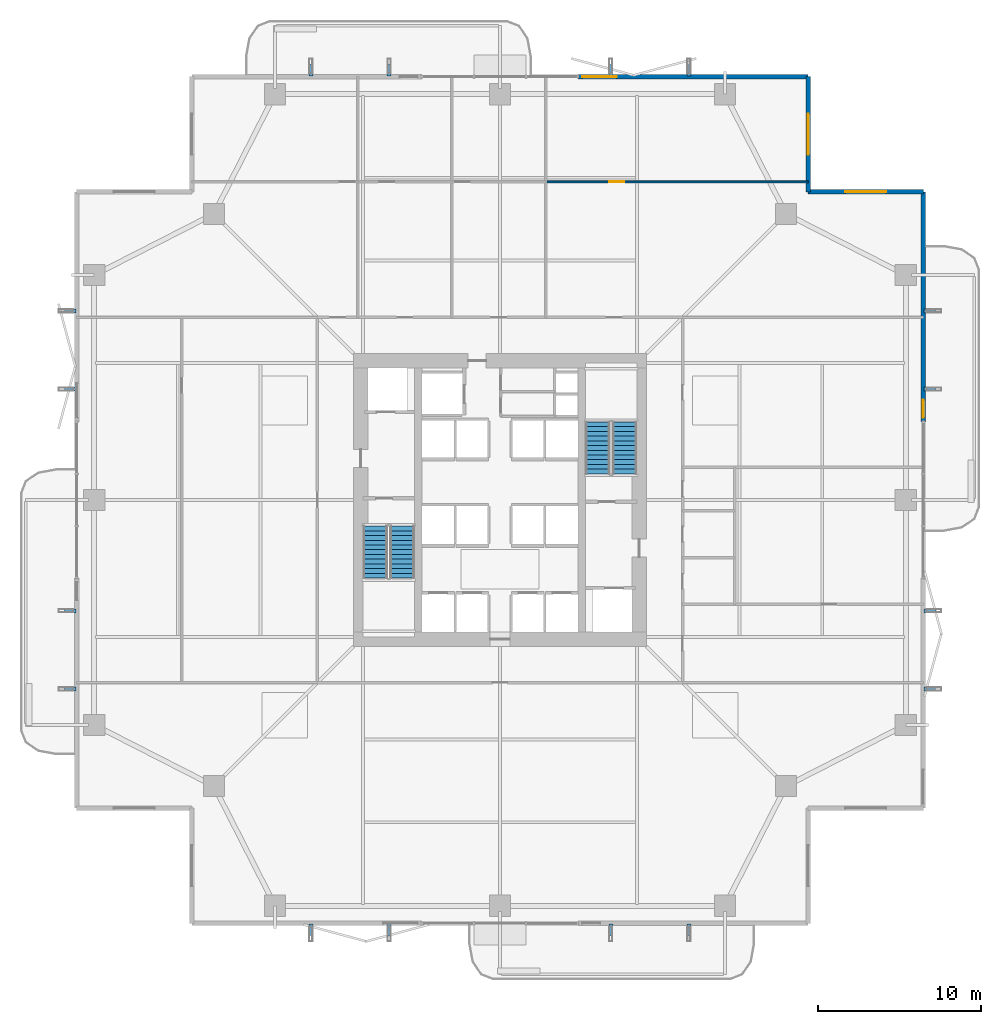
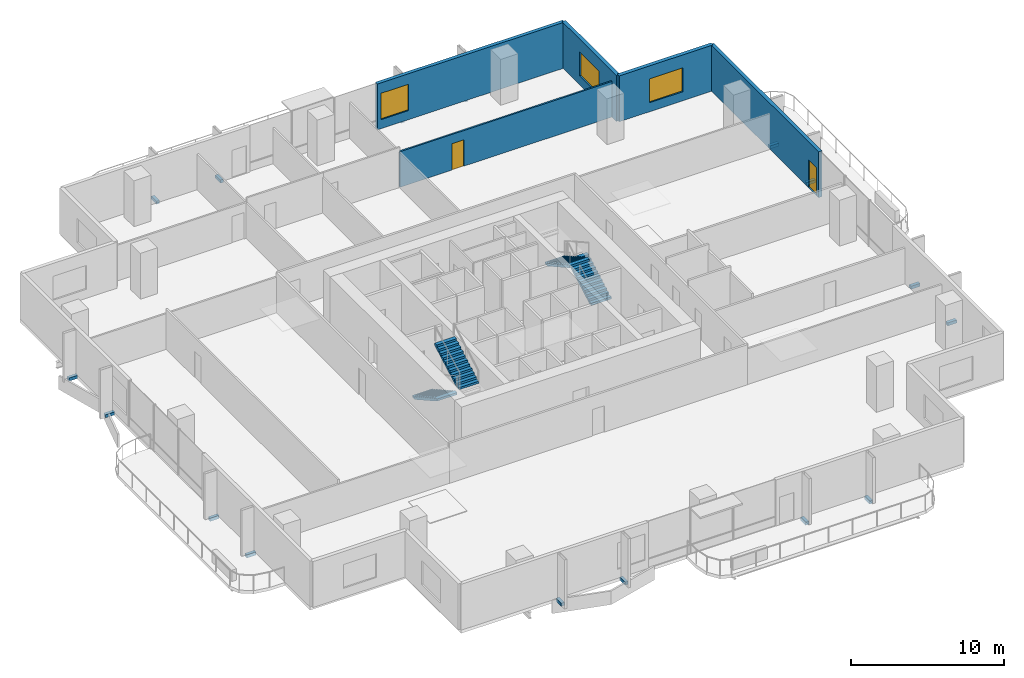
# One storey, part 20 of 24: 16 discrete accessories, 5 walls, 4 stair flights, 3 windows, 2 doors, 5 openings, 2 elements without a shape of their own.
"""IFC4 building model written with IfcOpenShell, lengths in metres."""

import ifcopenshell
import ifcopenshell.guid

model = None  # the IFC model being written
_history = None  # IfcOwnerHistory: only IFC2X3 demands one
_inside = {}  # id of a spatial element -> (the spatial element, [elements in it])
_under = {}  # id of a project, library or spatial element -> (it, [spatial elements below it])
_declared = {}  # id of a project -> (the project, [libraries it declares])
_typed = {}  # id of a type object -> (the type object, [elements of that type])
_made_of = {}  # id of a material, layer set ... -> (it, [elements and type objects made of it])


def new_model(schema):
    """Start an empty IFC model of exactly this schema.

    Asked for "IFC4X3", IfcOpenShell would pick the latest addendum, in which some entities
    have other attributes; the version numbers below select the first issue.
    IFC2X3 requires an IfcOwnerHistory on every rooted entity: one is made here for all.
    """
    global model, _history
    if schema == "IFC4X3":
        model = ifcopenshell.file(schema_version=(4, 3, 0, 0))
    else:
        model = ifcopenshell.file(schema=schema)
    _inside.clear()
    _under.clear()
    _declared.clear()
    _typed.clear()
    _made_of.clear()
    _history = None
    if model.schema == "IFC2X3":
        org = make("IfcOrganization", Name="unknown")
        user = make(
            "IfcPersonAndOrganization",
            ThePerson=make("IfcPerson", FamilyName="unknown"),
            TheOrganization=org,
        )
        app = make(
            "IfcApplication",
            ApplicationDeveloper=org,
            Version="unknown",
            ApplicationFullName="unknown",
            ApplicationIdentifier="unknown",
        )
        _history = make(
            "IfcOwnerHistory",
            OwningUser=user,
            OwningApplication=app,
            ChangeAction="ADDED",
            CreationDate=0,
        )
    return model


def make(cls, **values):
    """One entity of the class cls with the attributes given. An attribute that is None is left unset."""
    return model.create_entity(
        cls, **{name: value for name, value in values.items() if value is not None}
    )


def rooted(cls, **values):
    """An entity with a GlobalId (a new one), such as an element, a storey or a relation."""
    return make(cls, GlobalId=ifcopenshell.guid.new(), OwnerHistory=_history, **values)


def si_unit(unit_type, name, prefix=None):
    """IfcSIUnit, for example si_unit("LENGTHUNIT", "METRE", prefix="MILLI")."""
    return make("IfcSIUnit", UnitType=unit_type, Prefix=prefix, Name=name)


def assignment(units):
    """IfcUnitAssignment: the units of a project."""
    return None if units is None else make("IfcUnitAssignment", Units=units)


def point(xyz):
    """IfcCartesianPoint."""
    return None if xyz is None else make("IfcCartesianPoint", Coordinates=xyz)


def direction(xyz):
    """IfcDirection."""
    return None if xyz is None else make("IfcDirection", DirectionRatios=xyz)


def frame(location, z_axis=None, x_axis=None):
    """IfcAxis2Placement3D, a coordinate frame: its origin and axes. An axis left out is left unset."""
    return make(
        "IfcAxis2Placement3D",
        Location=point(location),
        Axis=direction(z_axis),
        RefDirection=direction(x_axis),
    )


def frame_2d(location, x_axis=None):
    """IfcAxis2Placement2D, a coordinate frame in the plane: its origin and x axis."""
    return make(
        "IfcAxis2Placement2D", Location=point(location), RefDirection=direction(x_axis)
    )


def origin():
    """The frame at (0, 0, 0) with its axes left unset."""
    return frame((0.0, 0.0, 0.0))


def origin_2d():
    """The frame at (0, 0) in the plane with its x axis left unset."""
    return frame_2d((0.0, 0.0))


def place(relative_to, where):
    """IfcLocalPlacement: puts the frame where relative to a parent placement (None: the world)."""
    return make(
        "IfcLocalPlacement", PlacementRelTo=relative_to, RelativePlacement=where
    )


def context(
    kind, dimensions, precision=None, world=None, true_north=None, identifier=None
):
    """IfcGeometricRepresentationContext, for example the 3D "Model" context."""
    return make(
        "IfcGeometricRepresentationContext",
        ContextIdentifier=identifier,
        ContextType=kind,
        CoordinateSpaceDimension=dimensions,
        Precision=precision,
        WorldCoordinateSystem=world,
        TrueNorth=true_north,
    )


def subcontext(parent, identifier, kind, view, scale=None):
    """IfcGeometricRepresentationSubContext, for example "Body" below "Model"."""
    return make(
        "IfcGeometricRepresentationSubContext",
        ContextIdentifier=identifier,
        ContextType=kind,
        ParentContext=parent,
        TargetScale=scale,
        TargetView=view,
    )


def project(units=None, contexts=None):
    """IfcProject with its units and contexts."""
    return rooted(
        "IfcProject",
        Name="project",
        RepresentationContexts=contexts,
        UnitsInContext=assignment(units),
    )


def spatial(cls, under=None, at=None, **own):
    """A site, building, storey or space (cls), placed at a placement, below another one or the project."""
    s = rooted(cls, ObjectPlacement=at, **own)
    if under is not None:
        _under.setdefault(under.id(), (under, []))[1].append(s)
    return s


def polyline(points):
    """IfcPolyline through the points."""
    return make("IfcPolyline", Points=[point(p) for p in points])


def profile(cls, at=None, kind="AREA", **sizes):
    """A parametric profile (cls). Its sizes go by their IFC names, for example OverallWidth=200.0."""
    return make(cls, ProfileType=kind, Position=at, **sizes)


def rectangle(**sizes):
    """IfcRectangleProfileDef."""
    return profile("IfcRectangleProfileDef", **sizes)


def outline(outer, holes=None, kind="AREA"):
    """IfcArbitraryClosedProfileDef: a profile drawn as a closed curve; with holes, ...WithVoids."""
    if holes is None:
        return make("IfcArbitraryClosedProfileDef", ProfileType=kind, OuterCurve=outer)
    return make(
        "IfcArbitraryProfileDefWithVoids",
        ProfileType=kind,
        OuterCurve=outer,
        InnerCurves=holes,
    )


def extrude(swept, where, along, depth):
    """IfcExtrudedAreaSolid: the profile swept, set in the frame where, extruded along a direction by depth."""
    return make(
        "IfcExtrudedAreaSolid",
        SweptArea=swept,
        Position=where,
        ExtrudedDirection=direction(along),
        Depth=depth,
    )


def shape(context_of_items, identifier, shape_type, items):
    """IfcShapeRepresentation: the items that make up one representation, for example the "Body"."""
    return make(
        "IfcShapeRepresentation",
        ContextOfItems=context_of_items,
        RepresentationIdentifier=identifier,
        RepresentationType=shape_type,
        Items=items,
    )


def material(Name=None, Category=None):
    """IfcMaterial."""
    return make("IfcMaterial", Name=Name, Category=Category)


def layer(
    of_material, thickness, ventilated=None, Name=None, Category=None, Priority=None
):
    """IfcMaterialLayer: one layer of a wall or slab, of a material (None: an air gap)."""
    return make(
        "IfcMaterialLayer",
        Material=of_material,
        LayerThickness=thickness,
        IsVentilated=ventilated,
        Name=Name,
        Category=Category,
        Priority=Priority,
    )


def layer_set(layers, Name=None):
    """IfcMaterialLayerSet."""
    return make("IfcMaterialLayerSet", MaterialLayers=layers, LayerSetName=Name)


def made_of(thing, what):
    """Note that an element or type object is made of a material, layer set ...; save() writes the relation."""
    if what is not None:
        _made_of.setdefault(what.id(), (what, []))[1].append(thing)
    return thing


def type_object(cls, material=None, **own):
    """A type object (cls), such as IfcWallType, which elements share."""
    return made_of(rooted(cls, **own), material)


def element(
    cls,
    number,
    at=None,
    inside=None,
    cuts=None,
    type_object=None,
    material=None,
    context=None,
    identifier="Body",
    shape_type=None,
    held_by="IfcProductDefinitionShape",
    body=None,
    shapes=None,
    **own,
):
    """One element of the class cls, such as IfcWall. Its Tag is "e" and its number.

    at: its placement. inside: the storey or other place that contains it. cuts: it is an
    opening in that element (IfcRelVoidsElement). A single representation is given by context,
    identifier, shape_type and body (its items); several are given by shapes. held_by: the class
    of the entity that holds the representations. save() writes the other relations.
    """
    e = rooted(cls, Tag="e%d" % number, ObjectPlacement=at, **own)
    if body is not None:
        shapes = [shape(context, identifier, shape_type, body)]
    if shapes is not None:
        e.Representation = make(held_by, Representations=shapes)
    if inside is not None:
        _inside.setdefault(inside.id(), (inside, []))[1].append(e)
    if cuts is not None:
        rooted(
            "IfcRelVoidsElement", RelatingBuildingElement=cuts, RelatedOpeningElement=e
        )
    if type_object is not None:
        _typed.setdefault(type_object.id(), (type_object, []))[1].append(e)
    return made_of(e, material)


def fill(opening, filler):
    """IfcRelFillsElement: the door or window that sits in an opening."""
    return rooted(
        "IfcRelFillsElement",
        RelatingOpeningElement=opening,
        RelatedBuildingElement=filler,
    )


def aggregate(whole, parts):
    """IfcRelAggregates: a whole, such as a stair, and the parts it consists of."""
    return rooted("IfcRelAggregates", RelatingObject=whole, RelatedObjects=parts)


def save(model, path):
    """Write the relations noted so far, then the file.

    IfcRelAggregates (storeys below a building ...), IfcRelContainedInSpatialStructure (elements
    in a storey), IfcRelDefinesByType, IfcRelAssociatesMaterial and IfcRelDeclares: one each for
    every whole, place, type object, material and project.
    """
    for whole, parts in _under.values():
        aggregate(whole, parts)
    for where, things in _inside.values():
        rooted(
            "IfcRelContainedInSpatialStructure",
            RelatedElements=things,
            RelatingStructure=where,
        )
    for kind, things in _typed.values():
        rooted("IfcRelDefinesByType", RelatedObjects=things, RelatingType=kind)
    for what, things in _made_of.values():
        rooted("IfcRelAssociatesMaterial", RelatedObjects=things, RelatingMaterial=what)
    for by, libraries in _declared.values():
        rooted("IfcRelDeclares", RelatingContext=by, RelatedDefinitions=libraries)
    model.write(path)


model = new_model("IFC4")

# Units and contexts
model_context = context("Model", 3, precision=1e-05, world=origin(), true_north=direction((0.0, 1.0)))
body_context = subcontext(model_context, "Body", "Model", "MODEL_VIEW")
ifc_project = project(units=[si_unit("LENGTHUNIT", "METRE"), si_unit("AREAUNIT", "SQUARE_METRE"), si_unit("VOLUMEUNIT", "CUBIC_METRE"), si_unit("PLANEANGLEUNIT", "RADIAN"), si_unit("MASSUNIT", "GRAM", prefix="KILO")], contexts=[model_context])

# Site, building, storey
site_placement = place(None, origin())
site = spatial("IfcSite", under=ifc_project, at=site_placement, CompositionType="ELEMENT")
building_placement = place(site_placement, origin())
building = spatial("IfcBuilding", under=site, at=building_placement, Name="Belovzor Exchange Tower", CompositionType="ELEMENT")
storey_placement = place(building_placement, frame((0.0, 0.0, 129.0)))
storey = spatial("IfcBuildingStorey", under=building, at=storey_placement, Name="L31", CompositionType="ELEMENT", Elevation=129.0)

# Wall, opening, door
ifc_material_1 = material(Name="Acoustic Plasterboard on Galvanised Studs", Category="gypsum")
ifc_layer_1 = layer(ifc_material_1, 0.1201171875)
ifc_layer_set_1 = layer_set([ifc_layer_1], Name="Acoustic Plasterboard on Galvanised Studs")
wall_type_1 = type_object("IfcWallType", Name="Acoustic Double-Stud Partition Wall 120", PredefinedType="PARTITIONING", material=ifc_layer_set_1)
wall_1_placement = place(storey_placement, frame((31.611083984375, 48.320068359375, 0.0), z_axis=(0.0, 0.0, 1.0), x_axis=(1.0, 0.0, 0.0)))
wall_1 = element("IfcWall", 1, at=wall_1_placement, inside=storey, type_object=wall_type_1, Name="W-P120 Partition Wall W-L31-NHDIV-3", PredefinedType="PARTITIONING", context=body_context, shape_type="SweptSolid", body=[
    extrude(rectangle(XDim=16.0888671875, YDim=0.1201171875, at=frame_2d((8.04443359375, 0.0))), origin(), (0.0, 0.0, 1.0), 2.8349609375),
])
opening_1_placement = place(wall_1_placement, frame((3.89697265625, 0.0, 0.0)))
opening_1 = element("IfcOpeningElement", 2, at=opening_1_placement, cuts=wall_1, Name="Opening D-INT-090", PredefinedType="OPENING", context=body_context, shape_type="SweptSolid", body=[
    extrude(rectangle(XDim=0.89990234375, YDim=2.10009765625, at=frame_2d((0.449951171875, 1.050048828125))), frame((0.0, 0.070068359375, 0.0), z_axis=(0.0, -1.0, 0.0), x_axis=(1.0, 0.0, 0.0)), (0.0, 0.0, 1.0), 0.14013671875),
])
ifc_material_2 = material(Name="Veneered Hardwood Acoustic Leaf", Category="wood")
door_type_1 = type_object("IfcDoorType", Name="Trading Suite Acoustic Single Door 900x2100", OperationType="NOTDEFINED", PredefinedType="DOOR", material=ifc_material_2)
door_1_placement = place(opening_1_placement, origin())
door_1 = element("IfcDoor", 3, at=door_1_placement, inside=storey, type_object=door_type_1, Name="D-INT-090 Trading Suite Acoustic Single Door 900x2100", OperationType="SINGLE_SWING_RIGHT", OverallHeight=2.10009765625, OverallWidth=0.89990234375, PredefinedType="DOOR", context=body_context, shape_type="SweptSolid", body=[
    extrude(rectangle(XDim=0.89990234375, YDim=2.10009765625, at=frame_2d((0.449951171875, 1.050048828125))), frame((0.0, 0.02490234375, 0.0), z_axis=(0.0, -1.0, 0.0), x_axis=(1.0, 0.0, 0.0)), (0.0, 0.0, 1.0), 0.050048828125),
])
fill(opening_1, door_1)

# Wall, opening, window
ifc_material_3 = material(Name="Precast concrete C40/50", Category="concrete")
ifc_layer_2 = layer(ifc_material_3, 0.280029296875)
ifc_layer_set_2 = layer_set([ifc_layer_2], Name="Precast concrete C40/50")
wall_type_2 = type_object("IfcWallType", Name="Precast Concrete Notched Corner Frame Wall 280", PredefinedType="SOLIDWALL", material=ifc_layer_set_2)
wall_2_placement = place(storey_placement, frame((47.699951171875, 54.77001953125, 0.0), z_axis=(0.0, 0.0, 1.0), x_axis=(0.0, -1.0, 0.0)))
wall_2 = element("IfcWall", 4, at=wall_2_placement, inside=storey, type_object=wall_type_2, Name="W-CRN280 Precast Concrete Notched Corner Frame Wall 280 L31", PredefinedType="SOLIDWALL", context=body_context, shape_type="SweptSolid", body=[
    extrude(rectangle(XDim=7.070068359375, YDim=0.280029296875, at=frame_2d((3.53515625, 0.0))), origin(), (0.0, 0.0, 1.0), 3.64990234375),
])
opening_2_placement = place(wall_2_placement, frame((2.284912109375, 0.0, 0.719970703125)))
opening_2 = element("IfcOpeningElement", 5, at=opening_2_placement, cuts=wall_2, Name="Opening WN-CRN250", PredefinedType="OPENING", context=body_context, shape_type="SweptSolid", body=[
    extrude(rectangle(XDim=2.5, YDim=1.89990234375, at=frame_2d((1.25, 0.949951171875))), frame((0.0, 0.14990234375, 0.0), z_axis=(0.0, -1.0, 0.0), x_axis=(1.0, 0.0, 0.0)), (0.0, 0.0, 1.0), 0.300048828125),
])
ifc_material_4 = material(Name="Thermally Broken Aluminium and Triple Glazing", Category="aluminium")
window_type_1 = type_object("IfcWindowType", Name="Streamline Moderne Corner Wrap Ribbon Window 2500x1900", PartitioningType="SINGLE_PANEL", PredefinedType="WINDOW", material=ifc_material_4)
window_1_placement = place(opening_2_placement, origin())
window_1 = element("IfcWindow", 6, at=window_1_placement, inside=storey, type_object=window_type_1, Name="WN-CRN250 Streamline Moderne Corner Wrap Ribbon Window 2500x1900", OverallHeight=1.89990234375, OverallWidth=2.5, PartitioningType="SINGLE_PANEL", PredefinedType="WINDOW", context=body_context, shape_type="SweptSolid", body=[
    extrude(rectangle(XDim=2.5, YDim=1.89990234375, at=frame_2d((1.25, 0.949951171875))), frame((0.0, 0.030029296875, 0.0), z_axis=(0.0, -1.0, 0.0), x_axis=(1.0, 0.0, 0.0)), (0.0, 0.0, 1.0), 0.06005859375),
])
fill(opening_2, window_1)

wall_3_placement = place(storey_placement, frame((47.699951171875, 47.699951171875, 0.0), z_axis=(0.0, 0.0, 1.0), x_axis=(1.0, 0.0, 0.0)))
wall_3 = element("IfcWall", 7, at=wall_3_placement, inside=storey, type_object=wall_type_2, Name="W-CRN280 Precast Concrete Notched Corner Frame Wall 280 L31", PredefinedType="SOLIDWALL", context=body_context, shape_type="SweptSolid", body=[
    extrude(rectangle(XDim=7.070068359375, YDim=0.280029296875, at=frame_2d((3.53515625, 0.0))), origin(), (0.0, 0.0, 1.0), 3.64990234375),
])
opening_3_placement = place(wall_3_placement, frame((2.284912109375, 0.0, 0.719970703125)))
opening_3 = element("IfcOpeningElement", 8, at=opening_3_placement, cuts=wall_3, Name="Opening WN-CRN250", PredefinedType="OPENING", context=body_context, shape_type="SweptSolid", body=[
    extrude(rectangle(XDim=2.5, YDim=1.89990234375, at=frame_2d((1.25, 0.949951171875))), frame((0.0, 0.14990234375, 0.0), z_axis=(0.0, -1.0, 0.0), x_axis=(1.0, 0.0, 0.0)), (0.0, 0.0, 1.0), 0.300048828125),
])
window_2_placement = place(opening_3_placement, origin())
window_2 = element("IfcWindow", 9, at=window_2_placement, inside=storey, type_object=window_type_1, Name="WN-CRN250 Streamline Moderne Corner Wrap Ribbon Window 2500x1900", OverallHeight=1.89990234375, OverallWidth=2.5, PartitioningType="SINGLE_PANEL", PredefinedType="WINDOW", context=body_context, shape_type="SweptSolid", body=[
    extrude(rectangle(XDim=2.5, YDim=1.89990234375, at=frame_2d((1.25, 0.949951171875))), frame((0.0, 0.030029296875, 0.0), z_axis=(0.0, -1.0, 0.0), x_axis=(1.0, 0.0, 0.0)), (0.0, 0.0, 1.0), 0.06005859375),
])
fill(opening_3, window_2)

ifc_material_5 = material(Name="Precast concrete C40/50", Category="concrete")
ifc_layer_3 = layer(ifc_material_5, 0.260009765625)
ifc_layer_set_3 = layer_set([ifc_layer_3], Name="Precast concrete C40/50")
wall_type_3 = type_object("IfcWallType", Name="Precast Concrete Perimeter Loggia Frame Wall 260", PredefinedType="SOLIDWALL", material=ifc_layer_set_3)
wall_4_placement = place(storey_placement, frame((33.60009765625, 54.77001953125, 0.0), z_axis=(0.0, 0.0, 1.0), x_axis=(1.0, 0.0, 0.0)))
wall_4 = element("IfcWall", 10, at=wall_4_placement, inside=storey, type_object=wall_type_3, Name="W-EXT260 Precast Concrete Perimeter Loggia Frame Wall 260 L31", PredefinedType="SOLIDWALL", context=body_context, shape_type="SweptSolid", body=[
    extrude(rectangle(XDim=14.099853515625, YDim=0.260009765625, at=frame_2d((7.0498046875, 0.0))), origin(), (0.0, 0.0, 1.0), 3.64990234375),
])
opening_4_placement = place(wall_4_placement, frame((0.25, 0.0, 0.719970703125)))
opening_4 = element("IfcOpeningElement", 11, at=opening_4_placement, cuts=wall_4, Name="Opening WN-LOG210", PredefinedType="OPENING", context=body_context, shape_type="SweptSolid", body=[
    extrude(rectangle(XDim=2.10009765625, YDim=2.10009765625, at=frame_2d((1.050048828125, 1.050048828125))), frame((0.0, 0.139892578125, 0.0), z_axis=(0.0, -1.0, 0.0), x_axis=(1.0, 0.0, 0.0)), (0.0, 0.0, 1.0), 0.280029296875),
])
ifc_material_6 = material(Name="Thermally Broken Aluminium and Triple Glazing", Category="aluminium")
window_type_2 = type_object("IfcWindowType", Name="Triple-Glazed Loggia Ribbon Window 2100x2100", PartitioningType="SINGLE_PANEL", PredefinedType="WINDOW", material=ifc_material_6)
window_3_placement = place(opening_4_placement, origin())
window_3 = element("IfcWindow", 12, at=window_3_placement, inside=storey, type_object=window_type_2, Name="WN-LOG210 Triple-Glazed Loggia Ribbon Window 2100x2100", OverallHeight=2.10009765625, OverallWidth=2.10009765625, PartitioningType="SINGLE_PANEL", PredefinedType="WINDOW", context=body_context, shape_type="SweptSolid", body=[
    extrude(rectangle(XDim=2.10009765625, YDim=2.10009765625, at=frame_2d((1.050048828125, 1.050048828125))), frame((0.0, 0.030029296875, 0.0), z_axis=(0.0, -1.0, 0.0), x_axis=(1.0, 0.0, 0.0)), (0.0, 0.0, 1.0), 0.06005859375),
])
fill(opening_4, window_3)

# Wall, opening, door
wall_5_placement = place(storey_placement, frame((54.77001953125, 47.699951171875, 0.0), z_axis=(0.0, 0.0, 1.0), x_axis=(0.0, -1.0, 0.0)))
wall_5 = element("IfcWall", 13, at=wall_5_placement, inside=storey, type_object=wall_type_3, Name="W-EXT260 Precast Concrete Perimeter Loggia Frame Wall 260 L31", PredefinedType="SOLIDWALL", context=body_context, shape_type="SweptSolid", body=[
    extrude(rectangle(XDim=14.099853515625, YDim=0.260009765625, at=frame_2d((7.0498046875, 0.0))), origin(), (0.0, 0.0, 1.0), 3.64990234375),
])
opening_5_placement = place(wall_5_placement, frame((12.75, 0.0, 0.0)))
opening_5 = element("IfcOpeningElement", 14, at=opening_5_placement, cuts=wall_5, Name="Opening D-BAL110", PredefinedType="OPENING", context=body_context, shape_type="SweptSolid", body=[
    extrude(rectangle(XDim=1.10009765625, YDim=2.199951171875, at=frame_2d((0.550048828125, 1.10009765625))), frame((0.0, 0.139892578125, 0.0), z_axis=(0.0, -1.0, 0.0), x_axis=(1.0, 0.0, 0.0)), (0.0, 0.0, 1.0), 0.280029296875),
])
ifc_material_7 = material(Name="Thermally Broken Anodised Aluminium and Laminated Glass", Category="aluminium")
door_type_2 = type_object("IfcDoorType", Name="Planted Loggia Terrace Glazed Door 1100x2200", OperationType="SINGLE_SWING_LEFT", PredefinedType="DOOR", material=ifc_material_7)
door_2_placement = place(opening_5_placement, origin())
door_2 = element("IfcDoor", 15, at=door_2_placement, inside=storey, type_object=door_type_2, Name="D-BAL110 Balcony Terrace Door L31 E", OperationType="SINGLE_SWING_LEFT", OverallHeight=2.199951171875, OverallWidth=1.10009765625, PredefinedType="DOOR", context=body_context, shape_type="SweptSolid", body=[
    extrude(rectangle(XDim=1.10009765625, YDim=2.199951171875, at=frame_2d((0.550048828125, 1.10009765625))), frame((0.0, 0.02490234375, 0.0), z_axis=(0.0, -1.0, 0.0), x_axis=(1.0, 0.0, 0.0)), (0.0, 0.0, 1.0), 0.050048828125),
])
fill(opening_5, door_2)

# Stair, stair flights
ifc_material_8 = material(Name="Concrete C40/50", Category="concrete")
stair_type = type_object("IfcStairType", Name="Reinforced Concrete Dogleg Escape Stair 1350", PredefinedType="HALF_TURN_STAIR", material=ifc_material_8)
stair_1_placement = place(storey_placement, origin())
stair_1 = element("IfcStair", 16, at=stair_1_placement, inside=storey, type_object=stair_type, Name="L31 ST-1", PredefinedType="HALF_TURN_STAIR")
ifc_material_9 = material(Name="Concrete C40/50", Category="concrete")
stair_flight_type = type_object("IfcStairFlightType", Name="Reinforced Concrete Stair Flight 1350", PredefinedType="STRAIGHT", material=ifc_material_9)
stair_flight_1_placement = place(storey_placement, frame((21.14990234375, 27.199951171875, 0.0), z_axis=(0.0, 0.0, 1.0), x_axis=(0.0, -1.0, 0.0)))
stair_flight_1 = element("IfcStairFlight", 17, at=stair_flight_1_placement, type_object=stair_flight_type, Name="ST-1 flight 1", NumberOfRisers=12, NumberOfTreads=11, PredefinedType="STRAIGHT", RiserHeight=0.1625, TreadLength=0.29, context=body_context, shape_type="SweptSolid", body=[
    extrude(outline(polyline([(0.0, 0.0), (0.0, 0.16259765625), (0.2900390625, 0.16259765625), (0.2900390625, 0.324951171875), (0.580078125, 0.324951171875), (0.580078125, 0.487548828125), (0.8701171875, 0.487548828125), (0.8701171875, 0.64990234375), (1.159912109375, 0.64990234375), (1.159912109375, 0.8125), (1.449951171875, 0.8125), (1.449951171875, 0.97509765625), (1.739990234375, 0.97509765625), (1.739990234375, 1.137451171875), (2.030029296875, 1.137451171875), (2.030029296875, 1.300048828125), (2.320068359375, 1.300048828125), (2.320068359375, 1.46240234375), (2.610107421875, 1.46240234375), (2.610107421875, 1.625), (2.89990234375, 1.625), (2.89990234375, 1.78759765625), (3.18994140625, 1.78759765625), (3.18994140625, 1.949951171875), (3.18994140625, 1.61572265625), (0.306640625, 0.0), (0.0, 0.0)])), frame((0.0, 0.75, 0.0), z_axis=(0.0, -1.0, 0.0), x_axis=(1.0, 0.0, 0.0)), (0.0, 0.0, 1.0), 1.5),
])
stair_flight_2_placement = place(storey_placement, frame((22.800048828125, 24.010009765625, 1.949951171875), z_axis=(0.0, 0.0, 1.0), x_axis=(0.0, 1.0, 0.0)))
stair_flight_2 = element("IfcStairFlight", 18, at=stair_flight_2_placement, type_object=stair_flight_type, Name="ST-1 flight 2", NumberOfRisers=12, NumberOfTreads=11, PredefinedType="STRAIGHT", RiserHeight=0.1625, TreadLength=0.29, context=body_context, shape_type="SweptSolid", body=[
    extrude(outline(polyline([(0.0, 0.0), (0.0, 0.16259765625), (0.2900390625, 0.16259765625), (0.2900390625, 0.324951171875), (0.580078125, 0.324951171875), (0.580078125, 0.487548828125), (0.8701171875, 0.487548828125), (0.8701171875, 0.64990234375), (1.159912109375, 0.64990234375), (1.159912109375, 0.8125), (1.449951171875, 0.8125), (1.449951171875, 0.97509765625), (1.739990234375, 0.97509765625), (1.739990234375, 1.137451171875), (2.030029296875, 1.137451171875), (2.030029296875, 1.300048828125), (2.320068359375, 1.300048828125), (2.320068359375, 1.46240234375), (2.610107421875, 1.46240234375), (2.610107421875, 1.625), (2.89990234375, 1.625), (2.89990234375, 1.78759765625), (3.18994140625, 1.78759765625), (3.18994140625, 1.949951171875), (3.18994140625, 1.61572265625), (0.306640625, 0.0), (0.0, 0.0)])), frame((0.0, 0.75, 0.0), z_axis=(0.0, -1.0, 0.0), x_axis=(1.0, 0.0, 0.0)), (0.0, 0.0, 1.0), 1.5),
])
aggregate(stair_1, [stair_flight_1, stair_flight_2])

stair_2_placement = place(storey_placement, origin())
stair_2 = element("IfcStair", 19, at=stair_2_placement, inside=storey, type_object=stair_type, Name="L31 ST-2", PredefinedType="HALF_TURN_STAIR")
stair_flight_3_placement = place(storey_placement, frame((36.449951171875, 30.39990234375, 0.0), z_axis=(0.0, 0.0, 1.0), x_axis=(0.0, 1.0, 0.0)))
stair_flight_3 = element("IfcStairFlight", 20, at=stair_flight_3_placement, type_object=stair_flight_type, Name="ST-2 flight 1", NumberOfRisers=12, NumberOfTreads=11, PredefinedType="STRAIGHT", RiserHeight=0.1625, TreadLength=0.29, context=body_context, shape_type="SweptSolid", body=[
    extrude(outline(polyline([(0.0, 0.0), (0.0, 0.16259765625), (0.2900390625, 0.16259765625), (0.2900390625, 0.324951171875), (0.580078125, 0.324951171875), (0.580078125, 0.487548828125), (0.8701171875, 0.487548828125), (0.8701171875, 0.64990234375), (1.159912109375, 0.64990234375), (1.159912109375, 0.8125), (1.449951171875, 0.8125), (1.449951171875, 0.97509765625), (1.739990234375, 0.97509765625), (1.739990234375, 1.137451171875), (2.030029296875, 1.137451171875), (2.030029296875, 1.300048828125), (2.320068359375, 1.300048828125), (2.320068359375, 1.46240234375), (2.610107421875, 1.46240234375), (2.610107421875, 1.625), (2.89990234375, 1.625), (2.89990234375, 1.78759765625), (3.18994140625, 1.78759765625), (3.18994140625, 1.949951171875), (3.18994140625, 1.61572265625), (0.306640625, 0.0), (0.0, 0.0)])), frame((0.0, 0.75, 0.0), z_axis=(0.0, -1.0, 0.0), x_axis=(1.0, 0.0, 0.0)), (0.0, 0.0, 1.0), 1.5),
])
stair_flight_4_placement = place(storey_placement, frame((34.800048828125, 33.590087890625, 1.949951171875), z_axis=(0.0, 0.0, 1.0), x_axis=(0.0, -1.0, 0.0)))
stair_flight_4 = element("IfcStairFlight", 21, at=stair_flight_4_placement, type_object=stair_flight_type, Name="ST-2 flight 2", NumberOfRisers=12, NumberOfTreads=11, PredefinedType="STRAIGHT", RiserHeight=0.1625, TreadLength=0.29, context=body_context, shape_type="SweptSolid", body=[
    extrude(outline(polyline([(0.0, 0.0), (0.0, 0.16259765625), (0.2900390625, 0.16259765625), (0.2900390625, 0.324951171875), (0.580078125, 0.324951171875), (0.580078125, 0.487548828125), (0.8701171875, 0.487548828125), (0.8701171875, 0.64990234375), (1.159912109375, 0.64990234375), (1.159912109375, 0.8125), (1.449951171875, 0.8125), (1.449951171875, 0.97509765625), (1.739990234375, 0.97509765625), (1.739990234375, 1.137451171875), (2.030029296875, 1.137451171875), (2.030029296875, 1.300048828125), (2.320068359375, 1.300048828125), (2.320068359375, 1.46240234375), (2.610107421875, 1.46240234375), (2.610107421875, 1.625), (2.89990234375, 1.625), (2.89990234375, 1.78759765625), (3.18994140625, 1.78759765625), (3.18994140625, 1.949951171875), (3.18994140625, 1.61572265625), (0.306640625, 0.0), (0.0, 0.0)])), frame((0.0, 0.75, 0.0), z_axis=(0.0, -1.0, 0.0), x_axis=(1.0, 0.0, 0.0)), (0.0, 0.0, 1.0), 1.5),
])
aggregate(stair_2, [stair_flight_3, stair_flight_4])

# Discrete accessories
ifc_material_10 = material(Name="Stainless Steel Grade 316", Category="steel")
ifc_layer_4 = layer(ifc_material_10, 0.179931640625)
ifc_layer_set_4 = layer_set([ifc_layer_4], Name="Stainless Steel Grade 316")
discrete_accessory_type = type_object("IfcDiscreteAccessoryType", Name="Stainless Steel Facade Outrigger Fixing Bracket", PredefinedType="BRACKET", material=ifc_layer_set_4)
for number, where, z_axis, x_axis, name in (
    (22, (17.199951171875, 2.43798828125, -0.2451171875), (0.0, 0.0, 1.0), (0.0, 1.0, 0.0), "BRK-FIN1 Sweeping Fin Outrigger Bracket L31 S1"),
    (23, (17.199951171875, 55.1630859375, -0.2451171875), (0.0, 0.0, 1.0), (0.0, 1.0, 0.0), "BRK-FIN1 Sweeping Fin Outrigger Bracket L31 N1"),
    (24, (2.43798828125, 17.199951171875, -0.2451171875), (0.0, 0.0, 1.0), (1.0, 0.0, 0.0), "BRK-FIN1 Sweeping Fin Outrigger Bracket L31 W1"),
    (25, (55.1630859375, 17.199951171875, -0.2451171875), (0.0, 0.0, 1.0), (1.0, 0.0, 0.0), "BRK-FIN1 Sweeping Fin Outrigger Bracket L31 E1"),
    (26, (22.0, 2.43798828125, -0.2451171875), (0.0, 0.0, 1.0), (0.0, 1.0, 0.0), "BRK-FIN1 Sweeping Fin Outrigger Bracket L31 S2"),
    (27, (22.0, 55.1630859375, -0.2451171875), (0.0, 0.0, 1.0), (0.0, 1.0, 0.0), "BRK-FIN1 Sweeping Fin Outrigger Bracket L31 N2"),
    (28, (2.43798828125, 22.0, -0.2451171875), (0.0, 0.0, 1.0), (1.0, 0.0, 0.0), "BRK-FIN1 Sweeping Fin Outrigger Bracket L31 W2"),
    (29, (55.1630859375, 22.0, -0.2451171875), (0.0, 0.0, 1.0), (1.0, 0.0, 0.0), "BRK-FIN1 Sweeping Fin Outrigger Bracket L31 E2"),
    (30, (35.60009765625, 2.43798828125, -0.2451171875), (0.0, 0.0, 1.0), (0.0, 1.0, 0.0), "BRK-FIN1 Sweeping Fin Outrigger Bracket L31 S3"),
    (31, (35.60009765625, 55.1630859375, -0.2451171875), (0.0, 0.0, 1.0), (0.0, 1.0, 0.0), "BRK-FIN1 Sweeping Fin Outrigger Bracket L31 N3"),
    (32, (2.43798828125, 35.60009765625, -0.2451171875), (0.0, 0.0, 1.0), (1.0, 0.0, 0.0), "BRK-FIN1 Sweeping Fin Outrigger Bracket L31 W3"),
    (33, (55.1630859375, 35.60009765625, -0.2451171875), (0.0, 0.0, 1.0), (1.0, 0.0, 0.0), "BRK-FIN1 Sweeping Fin Outrigger Bracket L31 E3"),
    (34, (40.39990234375, 2.43798828125, -0.2451171875), (0.0, 0.0, 1.0), (0.0, 1.0, 0.0), "BRK-FIN1 Sweeping Fin Outrigger Bracket L31 S4"),
    (35, (40.39990234375, 55.1630859375, -0.2451171875), (0.0, 0.0, 1.0), (0.0, 1.0, 0.0), "BRK-FIN1 Sweeping Fin Outrigger Bracket L31 N4"),
    (36, (2.43798828125, 40.39990234375, -0.2451171875), (0.0, 0.0, 1.0), (1.0, 0.0, 0.0), "BRK-FIN1 Sweeping Fin Outrigger Bracket L31 W4"),
    (37, (55.1630859375, 40.39990234375, -0.2451171875), (0.0, 0.0, 1.0), (1.0, 0.0, 0.0), "BRK-FIN1 Sweeping Fin Outrigger Bracket L31 E4"),
):
    element("IfcDiscreteAccessory", number, at=place(storey_placement, frame(where, z_axis=z_axis, x_axis=x_axis)), inside=storey, type_object=discrete_accessory_type, Name=name, PredefinedType="BRACKET", context=body_context, shape_type="SweptSolid", body=[
        extrude(rectangle(XDim=0.68505859375, YDim=0.239990234375, at=origin_2d()), origin(), (0.0, 0.0, 1.0), 0.239990234375),
    ])

save(model, "model.ifc")
